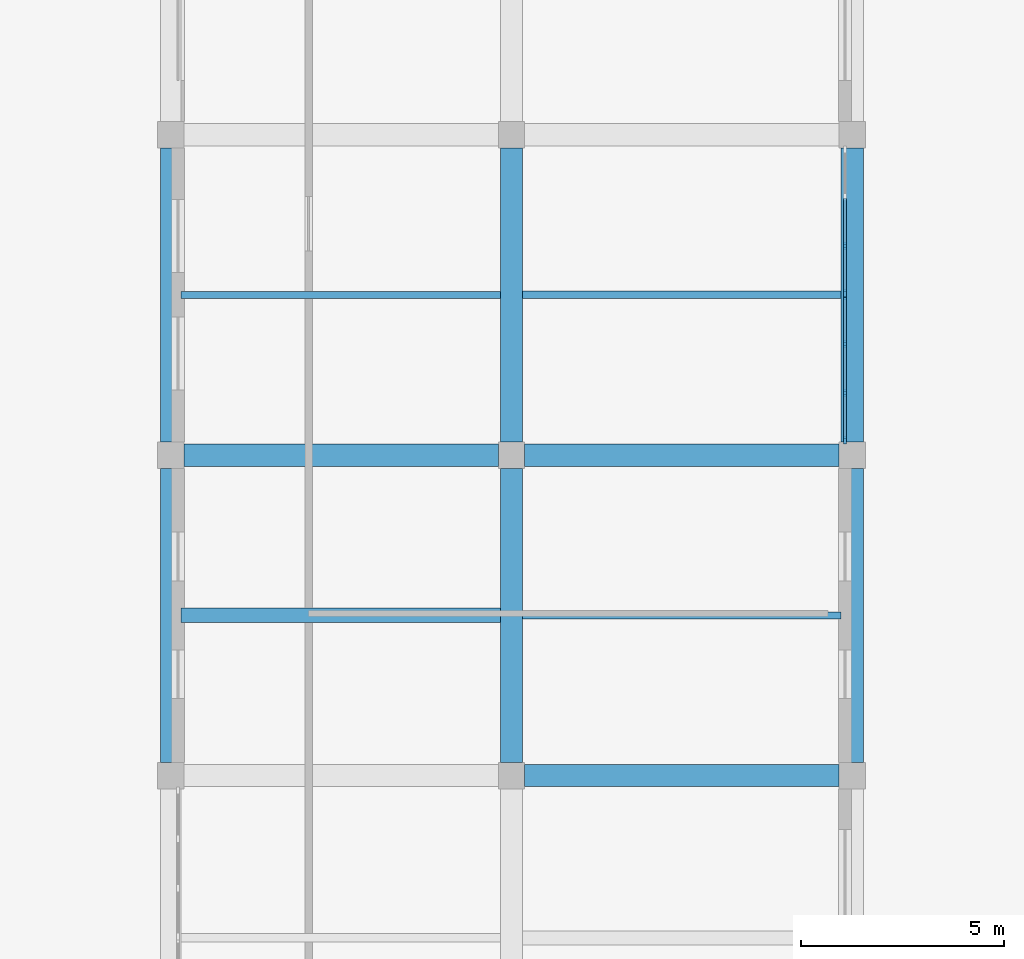
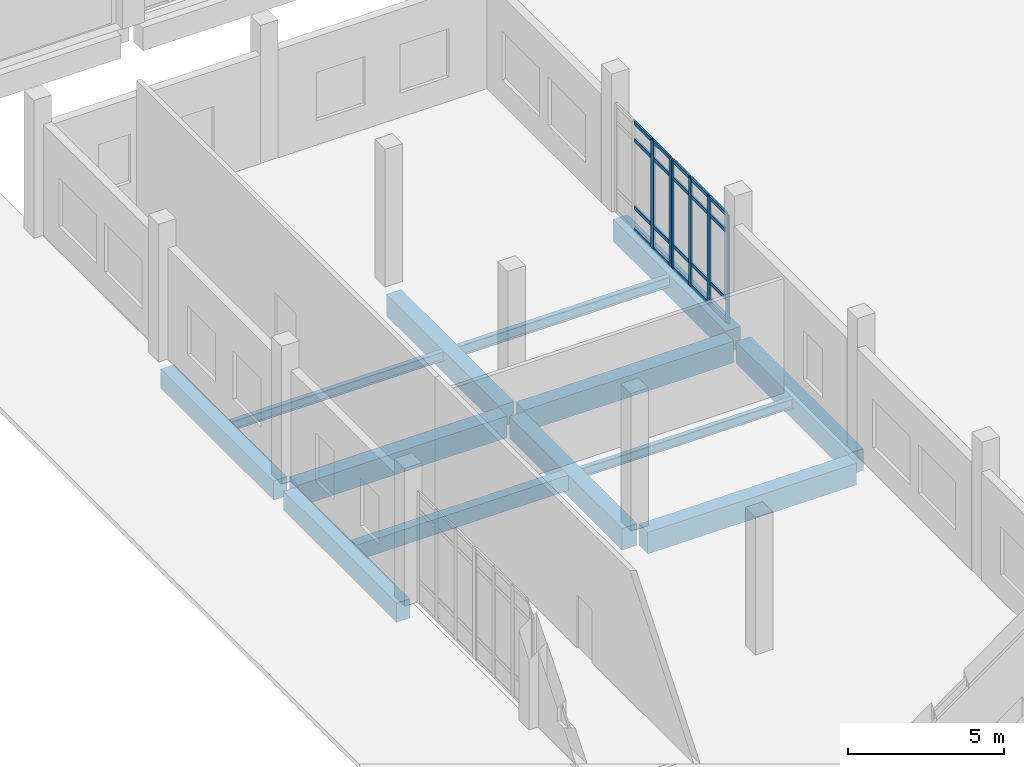
# One storey, part 9 of 79: 26 members, 13 beams, 2 elements without a shape of their own.
"""IFC4 building model written with IfcOpenShell, lengths in metres."""

from ifc_helpers import new_model, si_unit, direction, frame, origin, origin_2d, place, context, subcontext, project, spatial, rectangle, i_section, extrude, material, layer, layer_set, material_profile, profile_set, type_object, element, aggregate, save


model = new_model("IFC4")

# Units and contexts
model_context = context("Model", 3, precision=1e-05, world=origin(), true_north=direction((0.0, 1.0)))
body_context = subcontext(model_context, "Body", "Model", "MODEL_VIEW")
ifc_project = project(units=[si_unit("LENGTHUNIT", "METRE"), si_unit("AREAUNIT", "SQUARE_METRE"), si_unit("VOLUMEUNIT", "CUBIC_METRE"), si_unit("PLANEANGLEUNIT", "RADIAN"), si_unit("MASSUNIT", "GRAM", prefix="KILO")], contexts=[model_context])

# Site, building, storey
site_placement = place(None, origin())
site = spatial("IfcSite", under=ifc_project, at=site_placement, CompositionType="ELEMENT")
building_placement = place(site_placement, origin())
building = spatial("IfcBuilding", under=site, at=building_placement, Name="Kelarvand Opera House", CompositionType="ELEMENT")
storey_placement = place(building_placement, origin())
storey = spatial("IfcBuildingStorey", under=building, at=storey_placement, Name="L00", CompositionType="ELEMENT", Elevation=0.0)

# Curtain wall, members
ifc_material_1 = material(Name="Thermally broken aluminium and low-E glazing", Category="aluminium")
ifc_layer = layer(ifc_material_1, 0.179931640625, Name="Thermally broken aluminium and low-E glazing", Category="aluminium")
ifc_layer_set = layer_set([ifc_layer], Name="Thermally broken aluminium and low-E glazing")
curtain_wall_type = type_object("IfcCurtainWallType", Name="Unitised Low-E Curtain Wall 3611x4250 Mod 1350 CWF-25", PredefinedType="USERDEFINED", material=ifc_layer_set)
curtain_wall_1_placement = place(storey_placement, origin())
curtain_wall_1 = element("IfcCurtainWall", 1, at=curtain_wall_1_placement, inside=storey, type_object=curtain_wall_type, Name="V4 L00 Curtain Wall CWF-25 (117)", ObjectType="UNITISED CURTAIN WALL", PredefinedType="USERDEFINED")
ifc_material_2 = material(Name="Thermally broken anodised aluminium", Category="aluminium")
ifc_material_profile_1 = material_profile(ifc_material_2, rectangle(XDim=0.06494140625, YDim=0.179931640625, at=origin_2d()), Name="ALU MULLION 65x180", Category="aluminium")
ifc_profile_set_1 = profile_set([ifc_material_profile_1], Name="Thermally broken anodised aluminium")
member_type_1 = type_object("IfcMemberType", Name="Curtain Wall Mullion 65x180 Aluminium", PredefinedType="MULLION", material=ifc_profile_set_1)
member_1_placement = place(storey_placement, frame((25.6201171875, 67.65771484375, 0.0), z_axis=(0.0, 0.0, 1.0), x_axis=(1.0, 0.0, 0.0)))
member_1 = element("IfcMember", 2, at=member_1_placement, type_object=member_type_1, Name="CWF-25 mullion 3", PredefinedType="MULLION", context=body_context, shape_type="SweptSolid", body=[
    extrude(rectangle(XDim=0.06494140625, YDim=0.179931640625, at=origin_2d()), origin(), (0.0, 0.0, 1.0), 4.25),
])
member_2_placement = place(storey_placement, frame((25.6201171875, 66.486572265625, 0.0), z_axis=(0.0, 0.0, 1.0), x_axis=(1.0, 0.0, 0.0)))
member_2 = element("IfcMember", 3, at=member_2_placement, type_object=member_type_1, Name="CWF-25 mullion 4", PredefinedType="MULLION", context=body_context, shape_type="SweptSolid", body=[
    extrude(rectangle(XDim=0.06494140625, YDim=0.179931640625, at=origin_2d()), origin(), (0.0, 0.0, 1.0), 4.25),
])

curtain_wall_2_placement = place(storey_placement, origin())
curtain_wall_2 = element("IfcCurtainWall", 4, at=curtain_wall_2_placement, inside=storey, type_object=curtain_wall_type, Name="V4 L00 Curtain Wall CWF-25 (118)", ObjectType="UNITISED CURTAIN WALL", PredefinedType="USERDEFINED")
member_3_placement = place(storey_placement, frame((25.6201171875, 66.41748046875, 0.0), z_axis=(0.0, 0.0, 1.0), x_axis=(1.0, 0.0, 0.0)))
member_3 = element("IfcMember", 5, at=member_3_placement, type_object=member_type_1, Name="CWF-25 mullion 1", PredefinedType="MULLION", context=body_context, shape_type="SweptSolid", body=[
    extrude(rectangle(XDim=0.06494140625, YDim=0.179931640625, at=origin_2d()), origin(), (0.0, 0.0, 1.0), 4.25),
])
member_4_placement = place(storey_placement, frame((25.6201171875, 65.2451171875, 0.0), z_axis=(0.0, 0.0, 1.0), x_axis=(1.0, 0.0, 0.0)))
member_4 = element("IfcMember", 6, at=member_4_placement, type_object=member_type_1, Name="CWF-25 mullion 2", PredefinedType="MULLION", context=body_context, shape_type="SweptSolid", body=[
    extrude(rectangle(XDim=0.06494140625, YDim=0.179931640625, at=origin_2d()), origin(), (0.0, 0.0, 1.0), 4.25),
])
member_5_placement = place(storey_placement, frame((25.6201171875, 64.0400390625, 0.0), z_axis=(0.0, 0.0, 1.0), x_axis=(1.0, 0.0, 0.0)))
member_5 = element("IfcMember", 7, at=member_5_placement, type_object=member_type_1, Name="CWF-25 mullion 3", PredefinedType="MULLION", context=body_context, shape_type="SweptSolid", body=[
    extrude(rectangle(XDim=0.06494140625, YDim=0.179931640625, at=origin_2d()), origin(), (0.0, 0.0, 1.0), 4.25),
])
member_6_placement = place(storey_placement, frame((25.6201171875, 62.867431640625, 0.0), z_axis=(0.0, 0.0, 1.0), x_axis=(1.0, 0.0, 0.0)))
member_6 = element("IfcMember", 8, at=member_6_placement, type_object=member_type_1, Name="CWF-25 mullion 4", PredefinedType="MULLION", context=body_context, shape_type="SweptSolid", body=[
    extrude(rectangle(XDim=0.06494140625, YDim=0.179931640625, at=origin_2d()), origin(), (0.0, 0.0, 1.0), 4.25),
])

# Member
ifc_material_profile_2 = material_profile(ifc_material_2, rectangle(XDim=0.06494140625, YDim=0.139892578125, at=origin_2d()), Name="ALU TRANSOM 65x140", Category="aluminium")
ifc_profile_set_2 = profile_set([ifc_material_profile_2], Name="Thermally broken anodised aluminium")
member_type_2 = type_object("IfcMemberType", Name="Curtain Wall Transom 65x140 Aluminium", PredefinedType="USERDEFINED", material=ifc_profile_set_2)
member_7_placement = place(storey_placement, frame((25.6201171875, 68.828857421875, 0.032470703125), z_axis=(0.0, -1.0, 0.0), x_axis=(1.0, 0.0, 0.0)))
member_7 = element("IfcMember", 9, at=member_7_placement, type_object=member_type_2, Name="CWF-25 transom 2.1", ObjectType="TRANSOM", PredefinedType="USERDEFINED", context=body_context, shape_type="SweptSolid", body=[
    extrude(rectangle(XDim=0.06494140625, YDim=0.139892578125, at=origin_2d()), origin(), (0.0, 0.0, 1.0), 1.138671875),
])

member_8_placement = place(storey_placement, frame((25.6201171875, 68.828857421875, 0.89990234375), z_axis=(0.0, -1.0, 0.0), x_axis=(1.0, 0.0, 0.0)))
member_8 = element("IfcMember", 10, at=member_8_placement, type_object=member_type_2, Name="CWF-25 transom 2.2", ObjectType="TRANSOM", PredefinedType="USERDEFINED", context=body_context, shape_type="SweptSolid", body=[
    extrude(rectangle(XDim=0.06494140625, YDim=0.139892578125, at=origin_2d()), origin(), (0.0, 0.0, 1.0), 1.138671875),
])

member_9_placement = place(storey_placement, frame((25.6201171875, 68.828857421875, 3.550048828125), z_axis=(0.0, -1.0, 0.0), x_axis=(1.0, 0.0, 0.0)))
member_9 = element("IfcMember", 11, at=member_9_placement, type_object=member_type_2, Name="CWF-25 transom 2.3", ObjectType="TRANSOM", PredefinedType="USERDEFINED", context=body_context, shape_type="SweptSolid", body=[
    extrude(rectangle(XDim=0.06494140625, YDim=0.139892578125, at=origin_2d()), origin(), (0.0, 0.0, 1.0), 1.138671875),
])

member_10_placement = place(storey_placement, frame((25.6201171875, 68.828857421875, 4.217529296875), z_axis=(0.0, -1.0, 0.0), x_axis=(1.0, 0.0, 0.0)))
member_10 = element("IfcMember", 12, at=member_10_placement, type_object=member_type_2, Name="CWF-25 transom 2.4", ObjectType="TRANSOM", PredefinedType="USERDEFINED", context=body_context, shape_type="SweptSolid", body=[
    extrude(rectangle(XDim=0.06494140625, YDim=0.139892578125, at=origin_2d()), origin(), (0.0, 0.0, 1.0), 1.138671875),
])

member_11_placement = place(storey_placement, frame((25.6201171875, 67.625244140625, 0.032470703125), z_axis=(0.0, -1.0, 0.0), x_axis=(1.0, 0.0, 0.0)))
member_11 = element("IfcMember", 13, at=member_11_placement, type_object=member_type_2, Name="CWF-25 transom 3.1", ObjectType="TRANSOM", PredefinedType="USERDEFINED", context=body_context, shape_type="SweptSolid", body=[
    extrude(rectangle(XDim=0.06494140625, YDim=0.139892578125, at=origin_2d()), origin(), (0.0, 0.0, 1.0), 1.106201171875),
])

member_12_placement = place(storey_placement, frame((25.6201171875, 67.625244140625, 0.89990234375), z_axis=(0.0, -1.0, 0.0), x_axis=(1.0, 0.0, 0.0)))
member_12 = element("IfcMember", 14, at=member_12_placement, type_object=member_type_2, Name="CWF-25 transom 3.2", ObjectType="TRANSOM", PredefinedType="USERDEFINED", context=body_context, shape_type="SweptSolid", body=[
    extrude(rectangle(XDim=0.06494140625, YDim=0.139892578125, at=origin_2d()), origin(), (0.0, 0.0, 1.0), 1.106201171875),
])

member_13_placement = place(storey_placement, frame((25.6201171875, 67.625244140625, 3.550048828125), z_axis=(0.0, -1.0, 0.0), x_axis=(1.0, 0.0, 0.0)))
member_13 = element("IfcMember", 15, at=member_13_placement, type_object=member_type_2, Name="CWF-25 transom 3.3", ObjectType="TRANSOM", PredefinedType="USERDEFINED", context=body_context, shape_type="SweptSolid", body=[
    extrude(rectangle(XDim=0.06494140625, YDim=0.139892578125, at=origin_2d()), origin(), (0.0, 0.0, 1.0), 1.106201171875),
])

member_14_placement = place(storey_placement, frame((25.6201171875, 67.625244140625, 4.217529296875), z_axis=(0.0, -1.0, 0.0), x_axis=(1.0, 0.0, 0.0)))
member_14 = element("IfcMember", 16, at=member_14_placement, type_object=member_type_2, Name="CWF-25 transom 3.4", ObjectType="TRANSOM", PredefinedType="USERDEFINED", context=body_context, shape_type="SweptSolid", body=[
    extrude(rectangle(XDim=0.06494140625, YDim=0.139892578125, at=origin_2d()), origin(), (0.0, 0.0, 1.0), 1.106201171875),
])

aggregate(curtain_wall_1, [member_1, member_2, member_7, member_8, member_9, member_10, member_11, member_12, member_13, member_14])

member_15_placement = place(storey_placement, frame((25.6201171875, 66.385009765625, 0.032470703125), z_axis=(0.0, -1.0, 0.0), x_axis=(1.0, 0.0, 0.0)))
member_15 = element("IfcMember", 17, at=member_15_placement, type_object=member_type_2, Name="CWF-25 transom 1.1", ObjectType="TRANSOM", PredefinedType="USERDEFINED", context=body_context, shape_type="SweptSolid", body=[
    extrude(rectangle(XDim=0.06494140625, YDim=0.139892578125, at=origin_2d()), origin(), (0.0, 0.0, 1.0), 1.107421875),
])

member_16_placement = place(storey_placement, frame((25.6201171875, 66.385009765625, 0.89990234375), z_axis=(0.0, -1.0, 0.0), x_axis=(1.0, 0.0, 0.0)))
member_16 = element("IfcMember", 18, at=member_16_placement, type_object=member_type_2, Name="CWF-25 transom 1.2", ObjectType="TRANSOM", PredefinedType="USERDEFINED", context=body_context, shape_type="SweptSolid", body=[
    extrude(rectangle(XDim=0.06494140625, YDim=0.139892578125, at=origin_2d()), origin(), (0.0, 0.0, 1.0), 1.107421875),
])

member_17_placement = place(storey_placement, frame((25.6201171875, 66.385009765625, 3.550048828125), z_axis=(0.0, -1.0, 0.0), x_axis=(1.0, 0.0, 0.0)))
member_17 = element("IfcMember", 19, at=member_17_placement, type_object=member_type_2, Name="CWF-25 transom 1.3", ObjectType="TRANSOM", PredefinedType="USERDEFINED", context=body_context, shape_type="SweptSolid", body=[
    extrude(rectangle(XDim=0.06494140625, YDim=0.139892578125, at=origin_2d()), origin(), (0.0, 0.0, 1.0), 1.107421875),
])

member_18_placement = place(storey_placement, frame((25.6201171875, 66.385009765625, 4.217529296875), z_axis=(0.0, -1.0, 0.0), x_axis=(1.0, 0.0, 0.0)))
member_18 = element("IfcMember", 20, at=member_18_placement, type_object=member_type_2, Name="CWF-25 transom 1.4", ObjectType="TRANSOM", PredefinedType="USERDEFINED", context=body_context, shape_type="SweptSolid", body=[
    extrude(rectangle(XDim=0.06494140625, YDim=0.139892578125, at=origin_2d()), origin(), (0.0, 0.0, 1.0), 1.107421875),
])

member_19_placement = place(storey_placement, frame((25.6201171875, 65.21240234375, 0.032470703125), z_axis=(0.0, -1.0, 0.0), x_axis=(1.0, 0.0, 0.0)))
member_19 = element("IfcMember", 21, at=member_19_placement, type_object=member_type_2, Name="CWF-25 transom 2.1", ObjectType="TRANSOM", PredefinedType="USERDEFINED", context=body_context, shape_type="SweptSolid", body=[
    extrude(rectangle(XDim=0.06494140625, YDim=0.139892578125, at=origin_2d()), origin(), (0.0, 0.0, 1.0), 1.139892578125),
])

member_20_placement = place(storey_placement, frame((25.6201171875, 65.21240234375, 0.89990234375), z_axis=(0.0, -1.0, 0.0), x_axis=(1.0, 0.0, 0.0)))
member_20 = element("IfcMember", 22, at=member_20_placement, type_object=member_type_2, Name="CWF-25 transom 2.2", ObjectType="TRANSOM", PredefinedType="USERDEFINED", context=body_context, shape_type="SweptSolid", body=[
    extrude(rectangle(XDim=0.06494140625, YDim=0.139892578125, at=origin_2d()), origin(), (0.0, 0.0, 1.0), 1.139892578125),
])

member_21_placement = place(storey_placement, frame((25.6201171875, 65.21240234375, 3.550048828125), z_axis=(0.0, -1.0, 0.0), x_axis=(1.0, 0.0, 0.0)))
member_21 = element("IfcMember", 23, at=member_21_placement, type_object=member_type_2, Name="CWF-25 transom 2.3", ObjectType="TRANSOM", PredefinedType="USERDEFINED", context=body_context, shape_type="SweptSolid", body=[
    extrude(rectangle(XDim=0.06494140625, YDim=0.139892578125, at=origin_2d()), origin(), (0.0, 0.0, 1.0), 1.139892578125),
])

member_22_placement = place(storey_placement, frame((25.6201171875, 65.21240234375, 4.217529296875), z_axis=(0.0, -1.0, 0.0), x_axis=(1.0, 0.0, 0.0)))
member_22 = element("IfcMember", 24, at=member_22_placement, type_object=member_type_2, Name="CWF-25 transom 2.4", ObjectType="TRANSOM", PredefinedType="USERDEFINED", context=body_context, shape_type="SweptSolid", body=[
    extrude(rectangle(XDim=0.06494140625, YDim=0.139892578125, at=origin_2d()), origin(), (0.0, 0.0, 1.0), 1.139892578125),
])

member_23_placement = place(storey_placement, frame((25.6201171875, 64.007568359375, 0.032470703125), z_axis=(0.0, -1.0, 0.0), x_axis=(1.0, 0.0, 0.0)))
member_23 = element("IfcMember", 25, at=member_23_placement, type_object=member_type_2, Name="CWF-25 transom 3.1", ObjectType="TRANSOM", PredefinedType="USERDEFINED", context=body_context, shape_type="SweptSolid", body=[
    extrude(rectangle(XDim=0.06494140625, YDim=0.139892578125, at=origin_2d()), origin(), (0.0, 0.0, 1.0), 1.107666015625),
])

member_24_placement = place(storey_placement, frame((25.6201171875, 64.007568359375, 0.89990234375), z_axis=(0.0, -1.0, 0.0), x_axis=(1.0, 0.0, 0.0)))
member_24 = element("IfcMember", 26, at=member_24_placement, type_object=member_type_2, Name="CWF-25 transom 3.2", ObjectType="TRANSOM", PredefinedType="USERDEFINED", context=body_context, shape_type="SweptSolid", body=[
    extrude(rectangle(XDim=0.06494140625, YDim=0.139892578125, at=origin_2d()), origin(), (0.0, 0.0, 1.0), 1.107666015625),
])

member_25_placement = place(storey_placement, frame((25.6201171875, 64.007568359375, 3.550048828125), z_axis=(0.0, -1.0, 0.0), x_axis=(1.0, 0.0, 0.0)))
member_25 = element("IfcMember", 27, at=member_25_placement, type_object=member_type_2, Name="CWF-25 transom 3.3", ObjectType="TRANSOM", PredefinedType="USERDEFINED", context=body_context, shape_type="SweptSolid", body=[
    extrude(rectangle(XDim=0.06494140625, YDim=0.139892578125, at=origin_2d()), origin(), (0.0, 0.0, 1.0), 1.107666015625),
])

member_26_placement = place(storey_placement, frame((25.6201171875, 64.007568359375, 4.217529296875), z_axis=(0.0, -1.0, 0.0), x_axis=(1.0, 0.0, 0.0)))
member_26 = element("IfcMember", 28, at=member_26_placement, type_object=member_type_2, Name="CWF-25 transom 3.4", ObjectType="TRANSOM", PredefinedType="USERDEFINED", context=body_context, shape_type="SweptSolid", body=[
    extrude(rectangle(XDim=0.06494140625, YDim=0.139892578125, at=origin_2d()), origin(), (0.0, 0.0, 1.0), 1.107666015625),
])

aggregate(curtain_wall_2, [member_3, member_4, member_5, member_6, member_15, member_16, member_17, member_18, member_19, member_20, member_21, member_22, member_23, member_24, member_25, member_26])

# Beams
ifc_material_3 = material(Name="Concrete C35/45", Category="concrete")
ifc_material_profile_3 = material_profile(ifc_material_3, rectangle(XDim=0.35009765625, YDim=0.60009765625, at=origin_2d()), Name="RC 350x600", Category="concrete")
ifc_profile_set_3 = profile_set([ifc_material_profile_3], Name="Concrete C35/45")
beam_type_1 = type_object("IfcBeamType", Name="Structural Beam RC 350x600 BM-RC350x600", PredefinedType="BEAM", material=ifc_profile_set_3)
beam_1_placement = place(storey_placement, frame((9.25, 58.550048828125, -0.60009765625), z_axis=(1.0, 0.0, 0.0), x_axis=(0.0, 1.0, 0.0)))
element("IfcBeam", 29, at=beam_1_placement, inside=storey, type_object=beam_type_1, Name="V4 L00 Beam BM-RC350x600", PredefinedType="BEAM", context=body_context, shape_type="SweptSolid", body=[
    extrude(rectangle(XDim=0.35009765625, YDim=0.60009765625, at=origin_2d()), origin(), (0.0, 0.0, 1.0), 7.875),
])
ifc_material_4 = material(Name="Concrete C40/50", Category="concrete")
ifc_material_profile_4 = material_profile(ifc_material_4, rectangle(XDim=0.550048828125, YDim=0.85009765625, at=origin_2d()), Name="RC 550x850", Category="concrete")
ifc_profile_set_4 = profile_set([ifc_material_profile_4], Name="Concrete C40/50")
beam_type_2 = type_object("IfcBeamType", Name="Structural Beam RC 550x850 BM-RC550x850", PredefinedType="BEAM", material=ifc_profile_set_4)
for number, where, z_axis, x_axis, name in (
    (30, (17.72509765625, 54.60009765625, -0.72509765625), (1.0, 0.0, 0.0), (0.0, 1.0, 0.0), "V4 L00 Beam BM-RC550x850"),
    (31, (9.324951171875, 62.5, -0.72509765625), (1.0, 0.0, 0.0), (0.0, 1.0, 0.0), "V4 L00 Beam BM-RC550x850"),
    (32, (17.72509765625, 62.5, -0.72509765625), (1.0, 0.0, 0.0), (0.0, 1.0, 0.0), "V4 L00 Beam BM-RC550x850"),
):
    element("IfcBeam", number, at=place(storey_placement, frame(where, z_axis=z_axis, x_axis=x_axis)), inside=storey, type_object=beam_type_2, Name=name, PredefinedType="BEAM", context=body_context, shape_type="SweptSolid", body=[
        extrude(rectangle(XDim=0.550048828125, YDim=0.85009765625, at=origin_2d()), origin(), (0.0, 0.0, 1.0), 7.75),
    ])
for number, where, z_axis, x_axis, name in (
    (33, (17.39990234375, 54.925048828125, -0.72509765625), (0.0, 1.0, 0.0), (-1.0, 0.0, 0.0), "V4 L00 Beam BM-RC550x850"),
    (34, (17.39990234375, 62.824951171875, -0.72509765625), (0.0, 1.0, 0.0), (-1.0, 0.0, 0.0), "V4 L00 Beam BM-RC550x850"),
    (35, (25.800048828125, 54.925048828125, -0.72509765625), (0.0, 1.0, 0.0), (-1.0, 0.0, 0.0), "V4 L00 Beam BM-RC550x850"),
    (36, (25.800048828125, 62.824951171875, -0.72509765625), (0.0, 1.0, 0.0), (-1.0, 0.0, 0.0), "V4 L00 Beam BM-RC550x850"),
):
    element("IfcBeam", number, at=place(storey_placement, frame(where, z_axis=z_axis, x_axis=x_axis)), inside=storey, type_object=beam_type_2, Name=name, PredefinedType="BEAM", context=body_context, shape_type="SweptSolid", body=[
        extrude(rectangle(XDim=0.550048828125, YDim=0.85009765625, at=origin_2d()), origin(), (0.0, 0.0, 1.0), 7.25),
    ])
ifc_material_5 = material(Name="Steel S355", Category="steel")
ifc_material_profile_5 = material_profile(ifc_material_5, i_section(OverallWidth=0.169921875, OverallDepth=0.360107421875, WebThickness=0.008056640625, FlangeThickness=0.0126953125, at=origin_2d()), Name="IPE 360", Category="steel")
ifc_profile_set_5 = profile_set([ifc_material_profile_5], Name="Steel S355")
beam_type_3 = type_object("IfcBeamType", Name="Structural Joist IPE 360 JS-IPE360", PredefinedType="JOIST", material=ifc_profile_set_5)
beam_2_placement = place(storey_placement, frame((9.25, 66.449951171875, -0.47998046875), z_axis=(1.0, 0.0, 0.0), x_axis=(0.0, 1.0, 0.0)))
element("IfcBeam", 37, at=beam_2_placement, inside=storey, type_object=beam_type_3, Name="V4 L00 Beam JS-IPE360", PredefinedType="JOIST", context=body_context, shape_type="SweptSolid", body=[
    extrude(i_section(OverallWidth=0.169921875, OverallDepth=0.360107421875, WebThickness=0.008056640625, FlangeThickness=0.0126953125, at=origin_2d()), origin(), (0.0, 0.0, 1.0), 7.875),
])
beam_3_placement = place(storey_placement, frame((17.675048828125, 58.550048828125, -0.47998046875), z_axis=(1.0, 0.0, 0.0), x_axis=(0.0, 1.0, 0.0)))
element("IfcBeam", 38, at=beam_3_placement, inside=storey, type_object=beam_type_3, Name="V4 L00 Beam JS-IPE360", PredefinedType="JOIST", context=body_context, shape_type="SweptSolid", body=[
    extrude(i_section(OverallWidth=0.169921875, OverallDepth=0.360107421875, WebThickness=0.008056640625, FlangeThickness=0.0126953125, at=origin_2d()), origin(), (0.0, 0.0, 1.0), 7.849853515625),
])
ifc_material_profile_6 = material_profile(ifc_material_5, i_section(OverallWidth=0.179931640625, OverallDepth=0.39990234375, WebThickness=0.008544921875, FlangeThickness=0.013427734375, at=origin_2d()), Name="IPE 400", Category="steel")
ifc_profile_set_6 = profile_set([ifc_material_profile_6], Name="Steel S355")
beam_type_4 = type_object("IfcBeamType", Name="Structural Joist IPE 400 JS-IPE400", PredefinedType="JOIST", material=ifc_profile_set_6)
beam_4_placement = place(storey_placement, frame((17.675048828125, 66.449951171875, -0.5), z_axis=(1.0, 0.0, 0.0), x_axis=(0.0, 1.0, 0.0)))
element("IfcBeam", 39, at=beam_4_placement, inside=storey, type_object=beam_type_4, Name="V4 L00 Beam JS-IPE400", PredefinedType="JOIST", context=body_context, shape_type="SweptSolid", body=[
    extrude(i_section(OverallWidth=0.179931640625, OverallDepth=0.39990234375, WebThickness=0.008544921875, FlangeThickness=0.013427734375, at=origin_2d()), origin(), (0.0, 0.0, 1.0), 7.849853515625),
])
ifc_material_profile_7 = material_profile(ifc_material_4, rectangle(XDim=0.5, YDim=0.75, at=origin_2d()), Name="RC 500x750", Category="concrete")
ifc_profile_set_7 = profile_set([ifc_material_profile_7], Name="Concrete C40/50")
beam_type_5 = type_object("IfcBeamType", Name="Structural Spandrel RC 500x750 SP-RC500x750E", PredefinedType="SPANDREL", material=ifc_profile_set_7)
for number, where, z_axis, x_axis, name in (
    (40, (9.0, 54.925048828125, -0.675048828125), (0.0, 1.0, 0.0), (-1.0, 0.0, 0.0), "V4 L00 Beam SP-RC500x750E"),
    (41, (9.0, 62.824951171875, -0.675048828125), (0.0, 1.0, 0.0), (-1.0, 0.0, 0.0), "V4 L00 Beam SP-RC500x750E"),
):
    element("IfcBeam", number, at=place(storey_placement, frame(where, z_axis=z_axis, x_axis=x_axis)), inside=storey, type_object=beam_type_5, Name=name, PredefinedType="SPANDREL", context=body_context, shape_type="SweptSolid", body=[
        extrude(rectangle(XDim=0.5, YDim=0.75, at=origin_2d()), origin(), (0.0, 0.0, 1.0), 7.25),
    ])

save(model, "model.ifc")
